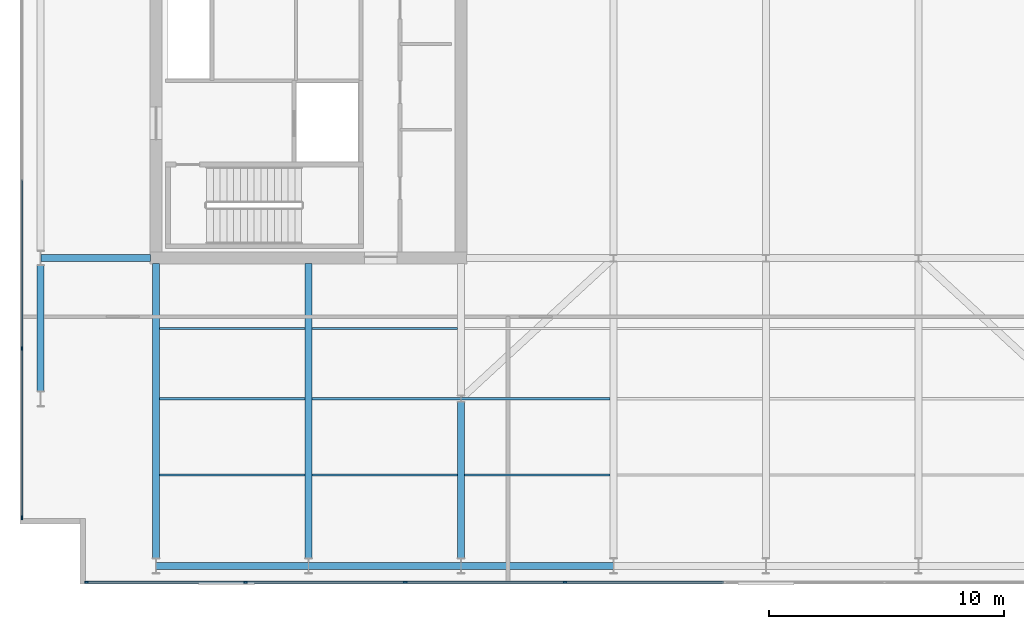
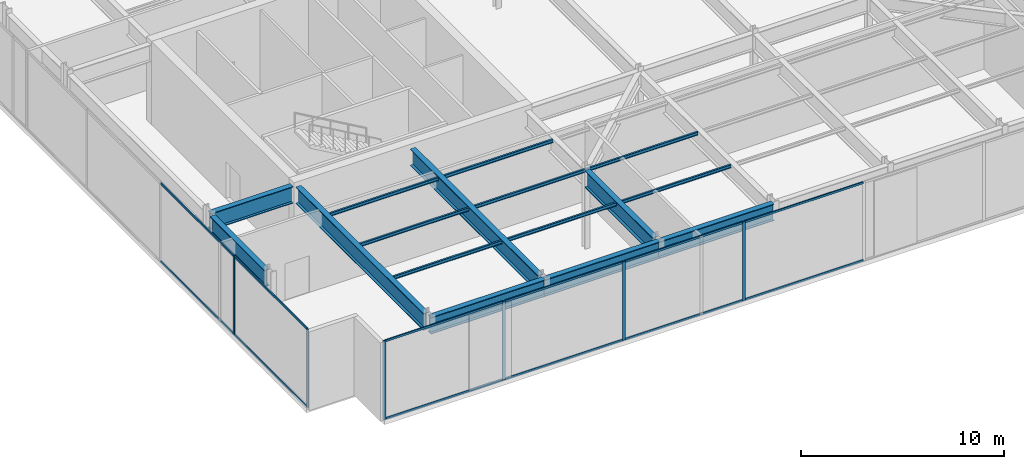
# One storey, part 5 of 23: 18 members, 16 beams, 2 elements without a shape of their own.
"""IFC4 building model written with IfcOpenShell, lengths in metres."""

from ifc_helpers import new_model, si_unit, direction, frame, origin, origin_2d, place, context, subcontext, project, spatial, rectangle, i_section, extrude, material, layer, layer_set, material_profile, profile_set, type_object, element, aggregate, save


model = new_model("IFC4")

# Units and contexts
model_context = context("Model", 3, precision=1e-05, world=origin(), true_north=direction((0.0, 1.0)))
body_context = subcontext(model_context, "Body", "Model", "MODEL_VIEW")
ifc_project = project(units=[si_unit("LENGTHUNIT", "METRE"), si_unit("AREAUNIT", "SQUARE_METRE"), si_unit("VOLUMEUNIT", "CUBIC_METRE"), si_unit("PLANEANGLEUNIT", "RADIAN"), si_unit("MASSUNIT", "GRAM", prefix="KILO")], contexts=[model_context])

# Site, building, storey
site_placement = place(None, origin())
site = spatial("IfcSite", under=ifc_project, at=site_placement, CompositionType="ELEMENT")
building_placement = place(site_placement, origin())
building = spatial("IfcBuilding", under=site, at=building_placement, Name="Putna Gate Headquarters", CompositionType="ELEMENT")
storey_placement = place(building_placement, frame((0.0, 0.0, 310.39990234375)))
storey = spatial("IfcBuildingStorey", under=building, at=storey_placement, Name="L78", CompositionType="ELEMENT", Elevation=310.39990234375)

# Beams
ifc_material_1 = material(Name="Steel S355J2", Category="steel")
ifc_material_profile_1 = material_profile(ifc_material_1, i_section(OverallWidth=0.10009765625, OverallDepth=0.199951171875, WebThickness=0.005615234375, FlangeThickness=0.008544921875, at=origin_2d()), Name="Steel S355J2")
ifc_profile_set_1 = profile_set([ifc_material_profile_1], Name="Steel S355J2")
beam_type_1 = type_object("IfcBeamType", Name="BM-SEC-PLT-IPE200", PredefinedType="JOIST", material=ifc_profile_set_1)
for number, where, z_axis, x_axis, name in (
    (1, (13.155029296875, 9.75, 4.6201171875), (1.0, 0.0, 0.0), (0.0, 1.0, 0.0), "L78 South Secondary Beam 1"),
    (2, (13.155029296875, 13.0, 4.6201171875), (1.0, 0.0, 0.0), (0.0, 1.0, 0.0), "L78 South Secondary Beam 1"),
    (3, (13.155029296875, 16.0, 4.6201171875), (1.0, 0.0, 0.0), (0.0, 1.0, 0.0), "L78 South Secondary Beam 1"),
    (4, (19.655029296875, 9.75, 4.6201171875), (1.0, 0.0, 0.0), (0.0, 1.0, 0.0), "L78 South Secondary Beam 2"),
):
    element("IfcBeam", number, at=place(storey_placement, frame(where, z_axis=z_axis, x_axis=x_axis)), inside=storey, type_object=beam_type_1, Name=name, PredefinedType="JOIST", context=body_context, shape_type="SweptSolid", body=[
        extrude(i_section(OverallWidth=0.10009765625, OverallDepth=0.199951171875, WebThickness=0.005615234375, FlangeThickness=0.008544921875, at=origin_2d()), origin(), (0.0, 0.0, 1.0), 6.18994140625),
    ])
beam_1_placement = place(storey_placement, frame((19.655029296875, 13.0, 4.6201171875), z_axis=(1.0, 0.0, 0.0), x_axis=(0.0, 1.0, 0.0)))
element("IfcBeam", 5, at=beam_1_placement, inside=storey, type_object=beam_type_1, Name="L78 South Secondary Beam 2", PredefinedType="JOIST", context=body_context, shape_type="SweptSolid", body=[
    extrude(i_section(OverallWidth=0.10009765625, OverallDepth=0.199951171875, WebThickness=0.005615234375, FlangeThickness=0.008544921875, at=origin_2d()), origin(), (0.0, 0.0, 1.0), 6.3388671875),
])
for number, where, z_axis, x_axis, name in (
    (6, (19.655029296875, 16.0, 4.6201171875), (1.0, 0.0, 0.0), (0.0, 1.0, 0.0), "L78 South Secondary Beam 2"),
    (7, (26.155029296875, 9.75, 4.6201171875), (1.0, 0.0, 0.0), (0.0, 1.0, 0.0), "L78 South Secondary Beam 3"),
):
    element("IfcBeam", number, at=place(storey_placement, frame(where, z_axis=z_axis, x_axis=x_axis)), inside=storey, type_object=beam_type_1, Name=name, PredefinedType="JOIST", context=body_context, shape_type="SweptSolid", body=[
        extrude(i_section(OverallWidth=0.10009765625, OverallDepth=0.199951171875, WebThickness=0.005615234375, FlangeThickness=0.008544921875, at=origin_2d()), origin(), (0.0, 0.0, 1.0), 6.18994140625),
    ])
beam_2_placement = place(storey_placement, frame((26.006103515625, 13.0, 4.6201171875), z_axis=(1.0, 0.0, 0.0), x_axis=(0.0, 1.0, 0.0)))
element("IfcBeam", 8, at=beam_2_placement, inside=storey, type_object=beam_type_1, Name="L78 South Secondary Beam 3", PredefinedType="JOIST", context=body_context, shape_type="SweptSolid", body=[
    extrude(i_section(OverallWidth=0.10009765625, OverallDepth=0.199951171875, WebThickness=0.005615234375, FlangeThickness=0.008544921875, at=origin_2d()), origin(), (0.0, 0.0, 1.0), 6.3388671875),
])
ifc_material_2 = material(Name="Steel S460M", Category="steel")
ifc_material_profile_2 = material_profile(ifc_material_2, i_section(OverallWidth=0.302001953125, OverallDepth=1.008056640625, WebThickness=0.02099609375, FlangeThickness=0.0400390625, at=origin_2d()), Name="Steel S460M")
ifc_profile_set_2 = profile_set([ifc_material_profile_2], Name="Steel S460M")
beam_type_2 = type_object("IfcBeamType", Name="BM-TG-HEM1000", PredefinedType="USERDEFINED", material=ifc_profile_set_2)
beam_3_placement = place(storey_placement, frame((8.0859375, 19.0, 4.216064453125), z_axis=(1.0, 0.0, 0.0), x_axis=(0.0, 1.0, 0.0)))
element("IfcBeam", 9, at=beam_3_placement, inside=storey, type_object=beam_type_2, Name="L78 West Wing Girder Y19", ObjectType="GIRDER", PredefinedType="USERDEFINED", context=body_context, shape_type="SweptSolid", body=[
    extrude(i_section(OverallWidth=0.302001953125, OverallDepth=1.008056640625, WebThickness=0.02099609375, FlangeThickness=0.0400390625, at=origin_2d()), origin(), (0.0, 0.0, 1.0), 4.678955078125),
])
for number, where, z_axis, x_axis, name in (
    (10, (13.0, 6.201904296875, 4.216064453125), (0.0, 1.0, 0.0), (-1.0, 0.0, 0.0), "L78 South Primary Girder X13"),
    (11, (19.5, 6.201904296875, 4.216064453125), (0.0, 1.0, 0.0), (-1.0, 0.0, 0.0), "L78 South Primary Girder X19"),
):
    element("IfcBeam", number, at=place(storey_placement, frame(where, z_axis=z_axis, x_axis=x_axis)), inside=storey, type_object=beam_type_2, Name=name, ObjectType="GIRDER", PredefinedType="USERDEFINED", context=body_context, shape_type="SweptSolid", body=[
        extrude(i_section(OverallWidth=0.302001953125, OverallDepth=1.008056640625, WebThickness=0.02099609375, FlangeThickness=0.0400390625, at=origin_2d()), origin(), (0.0, 0.0, 1.0), 12.56298828125),
    ])
beam_4_placement = place(storey_placement, frame((26.0, 6.201904296875, 4.216064453125), z_axis=(0.0, 1.0, 0.0), x_axis=(-1.0, 0.0, 0.0)))
element("IfcBeam", 12, at=beam_4_placement, inside=storey, type_object=beam_type_2, Name="L78 South Primary Girder X26-1", ObjectType="GIRDER", PredefinedType="USERDEFINED", context=body_context, shape_type="SweptSolid", body=[
    extrude(i_section(OverallWidth=0.302001953125, OverallDepth=1.008056640625, WebThickness=0.02099609375, FlangeThickness=0.0400390625, at=origin_2d()), origin(), (0.0, 0.0, 1.0), 6.66015625),
])
ifc_material_profile_3 = material_profile(ifc_material_2, i_section(OverallWidth=0.302001953125, OverallDepth=1.008056640625, WebThickness=0.02099609375, FlangeThickness=0.0400390625, at=origin_2d()), Name="Steel S460M")
ifc_profile_set_3 = profile_set([ifc_material_profile_3], Name="Steel S460M")
beam_type_3 = type_object("IfcBeamType", Name="BM-TG-HEM1000-EXT", PredefinedType="USERDEFINED", material=ifc_profile_set_3)
for number, where, z_axis, x_axis, name in (
    (13, (13.006103515625, 5.8798828125, 4.216064453125), (1.0, 0.0, 0.0), (0.0, 1.0, 0.0), "L78 S Perimeter Spandrel 1"),
    (14, (19.506103515625, 5.8798828125, 4.216064453125), (1.0, 0.0, 0.0), (0.0, 1.0, 0.0), "L78 S Perimeter Spandrel 2"),
    (15, (26.006103515625, 5.8798828125, 4.216064453125), (1.0, 0.0, 0.0), (0.0, 1.0, 0.0), "L78 S Perimeter Spandrel 3"),
):
    element("IfcBeam", number, at=place(storey_placement, frame(where, z_axis=z_axis, x_axis=x_axis)), inside=storey, type_object=beam_type_3, Name=name, ObjectType="GIRDER", PredefinedType="USERDEFINED", context=body_context, shape_type="SweptSolid", body=[
        extrude(i_section(OverallWidth=0.302001953125, OverallDepth=1.008056640625, WebThickness=0.02099609375, FlangeThickness=0.0400390625, at=origin_2d()), origin(), (0.0, 0.0, 1.0), 6.48779296875),
    ])
beam_5_placement = place(storey_placement, frame((8.080078125, 13.322021484375, 4.216064453125), z_axis=(0.0, 1.0, 0.0), x_axis=(-1.0, 0.0, 0.0)))
element("IfcBeam", 16, at=beam_5_placement, inside=storey, type_object=beam_type_3, Name="L78 W End Spandrel 1", ObjectType="GIRDER", PredefinedType="USERDEFINED", context=body_context, shape_type="SweptSolid", body=[
    extrude(i_section(OverallWidth=0.302001953125, OverallDepth=1.008056640625, WebThickness=0.02099609375, FlangeThickness=0.0400390625, at=origin_2d()), origin(), (0.0, 0.0, 1.0), 5.35595703125),
])

# Curtain wall, members
ifc_material_3 = material(Name="Anodised bronze aluminium curtain wall", Category="aluminium")
ifc_layer = layer(ifc_material_3, 0.159912109375)
ifc_layer_set = layer_set([ifc_layer], Name="Anodised bronze aluminium curtain wall")
curtain_wall_type = type_object("IfcCurtainWallType", Name="CW-SYS-CRN", PredefinedType="USERDEFINED", material=ifc_layer_set)
curtain_wall_1_placement = place(storey_placement, origin())
curtain_wall_1 = element("IfcCurtainWall", 17, at=curtain_wall_1_placement, inside=storey, type_object=curtain_wall_type, Name="L78 Acoustic Louvre South Enclosure", ObjectType="STICK CURTAIN WALL", PredefinedType="USERDEFINED")
ifc_material_4 = material(Name="Anodised bronze aluminium EN AW-6060", Category="aluminium")
ifc_material_profile_4 = material_profile(ifc_material_4, rectangle(XDim=0.06494140625, YDim=0.159912109375, at=origin_2d()), Name="Anodised bronze aluminium EN AW-6060")
ifc_profile_set_4 = profile_set([ifc_material_profile_4], Name="Anodised bronze aluminium EN AW-6060")
member_type_1 = type_object("IfcMemberType", Name="MULL-CWM-CR", PredefinedType="MULLION", material=ifc_profile_set_4)
member_1_placement = place(storey_placement, frame((10.032470703125, 5.179931640625, 0.0), z_axis=(0.0, 0.0, 1.0), x_axis=(0.0, 1.0, 0.0)))
member_1 = element("IfcMember", 18, at=member_1_placement, type_object=member_type_1, Name="CWS-CR mullion 1", PredefinedType="MULLION", context=body_context, shape_type="SweptSolid", body=[
    extrude(rectangle(XDim=0.06494140625, YDim=0.159912109375, at=origin_2d()), origin(), (0.0, 0.0, 1.0), 4.72021484375),
])
member_2_placement = place(storey_placement, frame((16.81103515625, 5.179931640625, 0.0), z_axis=(0.0, 0.0, 1.0), x_axis=(0.0, 1.0, 0.0)))
member_2 = element("IfcMember", 19, at=member_2_placement, type_object=member_type_1, Name="CWS-CR mullion 2", PredefinedType="MULLION", context=body_context, shape_type="SweptSolid", body=[
    extrude(rectangle(XDim=0.06494140625, YDim=0.159912109375, at=origin_2d()), origin(), (0.0, 0.0, 1.0), 4.72021484375),
])
member_3_placement = place(storey_placement, frame((23.622314453125, 5.179931640625, 0.0), z_axis=(0.0, 0.0, 1.0), x_axis=(0.0, 1.0, 0.0)))
member_3 = element("IfcMember", 20, at=member_3_placement, type_object=member_type_1, Name="CWS-CR mullion 3", PredefinedType="MULLION", context=body_context, shape_type="SweptSolid", body=[
    extrude(rectangle(XDim=0.06494140625, YDim=0.159912109375, at=origin_2d()), origin(), (0.0, 0.0, 1.0), 4.72021484375),
])
member_4_placement = place(storey_placement, frame((30.433349609375, 5.179931640625, 0.0), z_axis=(0.0, 0.0, 1.0), x_axis=(0.0, 1.0, 0.0)))
member_4 = element("IfcMember", 21, at=member_4_placement, type_object=member_type_1, Name="CWS-CR mullion 4", PredefinedType="MULLION", context=body_context, shape_type="SweptSolid", body=[
    extrude(rectangle(XDim=0.06494140625, YDim=0.159912109375, at=origin_2d()), origin(), (0.0, 0.0, 1.0), 4.72021484375),
])

curtain_wall_2_placement = place(storey_placement, origin())
curtain_wall_2 = element("IfcCurtainWall", 22, at=curtain_wall_2_placement, inside=storey, type_object=curtain_wall_type, Name="L78 Acoustic Louvre West Enclosure", ObjectType="STICK CURTAIN WALL", PredefinedType="USERDEFINED")
member_5_placement = place(storey_placement, frame((7.280029296875, 7.9326171875, 0.0), z_axis=(0.0, 0.0, 1.0), x_axis=(-1.0, 0.0, 0.0)))
member_5 = element("IfcMember", 23, at=member_5_placement, type_object=member_type_1, Name="CWS-CR mullion 1", PredefinedType="MULLION", context=body_context, shape_type="SweptSolid", body=[
    extrude(rectangle(XDim=0.06494140625, YDim=0.159912109375, at=origin_2d()), origin(), (0.0, 0.0, 1.0), 4.72021484375),
])
member_6_placement = place(storey_placement, frame((7.280029296875, 15.139892578125, 0.0), z_axis=(0.0, 0.0, 1.0), x_axis=(-1.0, 0.0, 0.0)))
member_6 = element("IfcMember", 24, at=member_6_placement, type_object=member_type_1, Name="CWS-CR mullion 2", PredefinedType="MULLION", context=body_context, shape_type="SweptSolid", body=[
    extrude(rectangle(XDim=0.06494140625, YDim=0.159912109375, at=origin_2d()), origin(), (0.0, 0.0, 1.0), 4.72021484375),
])

# Member
ifc_material_profile_5 = material_profile(ifc_material_4, rectangle(XDim=0.06494140625, YDim=0.1201171875, at=origin_2d()), Name="Anodised bronze aluminium EN AW-6060")
ifc_profile_set_5 = profile_set([ifc_material_profile_5], Name="Anodised bronze aluminium EN AW-6060")
member_type_2 = type_object("IfcMemberType", Name="TRAN-CWT-CR", PredefinedType="USERDEFINED", material=ifc_profile_set_5)
member_7_placement = place(storey_placement, frame((10.06494140625, 5.179931640625, 0.03271484375), z_axis=(1.0, 0.0, 0.0), x_axis=(0.0, 1.0, 0.0)))
member_7 = element("IfcMember", 25, at=member_7_placement, type_object=member_type_2, Name="CWS-CR transom 1.1", ObjectType="TRANSOM", PredefinedType="USERDEFINED", context=body_context, shape_type="SweptSolid", body=[
    extrude(rectangle(XDim=0.06494140625, YDim=0.1201171875, at=origin_2d()), origin(), (0.0, 0.0, 1.0), 6.713623046875),
])

member_8_placement = place(storey_placement, frame((10.06494140625, 5.179931640625, 4.6875), z_axis=(1.0, 0.0, 0.0), x_axis=(0.0, 1.0, 0.0)))
member_8 = element("IfcMember", 26, at=member_8_placement, type_object=member_type_2, Name="CWS-CR transom 1.2", ObjectType="TRANSOM", PredefinedType="USERDEFINED", context=body_context, shape_type="SweptSolid", body=[
    extrude(rectangle(XDim=0.06494140625, YDim=0.1201171875, at=origin_2d()), origin(), (0.0, 0.0, 1.0), 6.713623046875),
])

member_9_placement = place(storey_placement, frame((16.843505859375, 5.179931640625, 0.03271484375), z_axis=(1.0, 0.0, 0.0), x_axis=(0.0, 1.0, 0.0)))
member_9 = element("IfcMember", 27, at=member_9_placement, type_object=member_type_2, Name="CWS-CR transom 2.1", ObjectType="TRANSOM", PredefinedType="USERDEFINED", context=body_context, shape_type="SweptSolid", body=[
    extrude(rectangle(XDim=0.06494140625, YDim=0.1201171875, at=origin_2d()), origin(), (0.0, 0.0, 1.0), 6.746337890625),
])

member_10_placement = place(storey_placement, frame((16.843505859375, 5.179931640625, 4.6875), z_axis=(1.0, 0.0, 0.0), x_axis=(0.0, 1.0, 0.0)))
member_10 = element("IfcMember", 28, at=member_10_placement, type_object=member_type_2, Name="CWS-CR transom 2.2", ObjectType="TRANSOM", PredefinedType="USERDEFINED", context=body_context, shape_type="SweptSolid", body=[
    extrude(rectangle(XDim=0.06494140625, YDim=0.1201171875, at=origin_2d()), origin(), (0.0, 0.0, 1.0), 6.746337890625),
])

member_11_placement = place(storey_placement, frame((23.65478515625, 5.179931640625, 0.03271484375), z_axis=(1.0, 0.0, 0.0), x_axis=(0.0, 1.0, 0.0)))
member_11 = element("IfcMember", 29, at=member_11_placement, type_object=member_type_2, Name="CWS-CR transom 3.1", ObjectType="TRANSOM", PredefinedType="USERDEFINED", context=body_context, shape_type="SweptSolid", body=[
    extrude(rectangle(XDim=0.06494140625, YDim=0.1201171875, at=origin_2d()), origin(), (0.0, 0.0, 1.0), 6.74609375),
])

member_12_placement = place(storey_placement, frame((23.65478515625, 5.179931640625, 4.6875), z_axis=(1.0, 0.0, 0.0), x_axis=(0.0, 1.0, 0.0)))
member_12 = element("IfcMember", 30, at=member_12_placement, type_object=member_type_2, Name="CWS-CR transom 3.2", ObjectType="TRANSOM", PredefinedType="USERDEFINED", context=body_context, shape_type="SweptSolid", body=[
    extrude(rectangle(XDim=0.06494140625, YDim=0.1201171875, at=origin_2d()), origin(), (0.0, 0.0, 1.0), 6.74609375),
])

member_13_placement = place(storey_placement, frame((30.4658203125, 5.179931640625, 0.03271484375), z_axis=(1.0, 0.0, 0.0), x_axis=(0.0, 1.0, 0.0)))
member_13 = element("IfcMember", 31, at=member_13_placement, type_object=member_type_2, Name="CWS-CR transom 4.1", ObjectType="TRANSOM", PredefinedType="USERDEFINED", context=body_context, shape_type="SweptSolid", body=[
    extrude(rectangle(XDim=0.06494140625, YDim=0.1201171875, at=origin_2d()), origin(), (0.0, 0.0, 1.0), 6.74609375),
])

member_14_placement = place(storey_placement, frame((30.4658203125, 5.179931640625, 4.6875), z_axis=(1.0, 0.0, 0.0), x_axis=(0.0, 1.0, 0.0)))
member_14 = element("IfcMember", 32, at=member_14_placement, type_object=member_type_2, Name="CWS-CR transom 4.2", ObjectType="TRANSOM", PredefinedType="USERDEFINED", context=body_context, shape_type="SweptSolid", body=[
    extrude(rectangle(XDim=0.06494140625, YDim=0.1201171875, at=origin_2d()), origin(), (0.0, 0.0, 1.0), 6.74609375),
])

aggregate(curtain_wall_1, [member_1, member_2, member_3, member_4, member_7, member_8, member_9, member_10, member_11, member_12, member_13, member_14])

member_15_placement = place(storey_placement, frame((7.280029296875, 7.965087890625, 0.03271484375), z_axis=(0.0, 1.0, 0.0), x_axis=(-1.0, 0.0, 0.0)))
member_15 = element("IfcMember", 33, at=member_15_placement, type_object=member_type_2, Name="CWS-CR transom 1.1", ObjectType="TRANSOM", PredefinedType="USERDEFINED", context=body_context, shape_type="SweptSolid", body=[
    extrude(rectangle(XDim=0.06494140625, YDim=0.1201171875, at=origin_2d()), origin(), (0.0, 0.0, 1.0), 7.142333984375),
])

member_16_placement = place(storey_placement, frame((7.280029296875, 7.965087890625, 4.6875), z_axis=(0.0, 1.0, 0.0), x_axis=(-1.0, 0.0, 0.0)))
member_16 = element("IfcMember", 34, at=member_16_placement, type_object=member_type_2, Name="CWS-CR transom 1.2", ObjectType="TRANSOM", PredefinedType="USERDEFINED", context=body_context, shape_type="SweptSolid", body=[
    extrude(rectangle(XDim=0.06494140625, YDim=0.1201171875, at=origin_2d()), origin(), (0.0, 0.0, 1.0), 7.142333984375),
])

member_17_placement = place(storey_placement, frame((7.280029296875, 15.172607421875, 0.03271484375), z_axis=(0.0, 1.0, 0.0), x_axis=(-1.0, 0.0, 0.0)))
member_17 = element("IfcMember", 35, at=member_17_placement, type_object=member_type_2, Name="CWS-CR transom 2.1", ObjectType="TRANSOM", PredefinedType="USERDEFINED", context=body_context, shape_type="SweptSolid", body=[
    extrude(rectangle(XDim=0.06494140625, YDim=0.1201171875, at=origin_2d()), origin(), (0.0, 0.0, 1.0), 7.1748046875),
])

member_18_placement = place(storey_placement, frame((7.280029296875, 15.172607421875, 4.6875), z_axis=(0.0, 1.0, 0.0), x_axis=(-1.0, 0.0, 0.0)))
member_18 = element("IfcMember", 36, at=member_18_placement, type_object=member_type_2, Name="CWS-CR transom 2.2", ObjectType="TRANSOM", PredefinedType="USERDEFINED", context=body_context, shape_type="SweptSolid", body=[
    extrude(rectangle(XDim=0.06494140625, YDim=0.1201171875, at=origin_2d()), origin(), (0.0, 0.0, 1.0), 7.1748046875),
])

aggregate(curtain_wall_2, [member_5, member_6, member_15, member_16, member_17, member_18])

save(model, "model.ifc")
